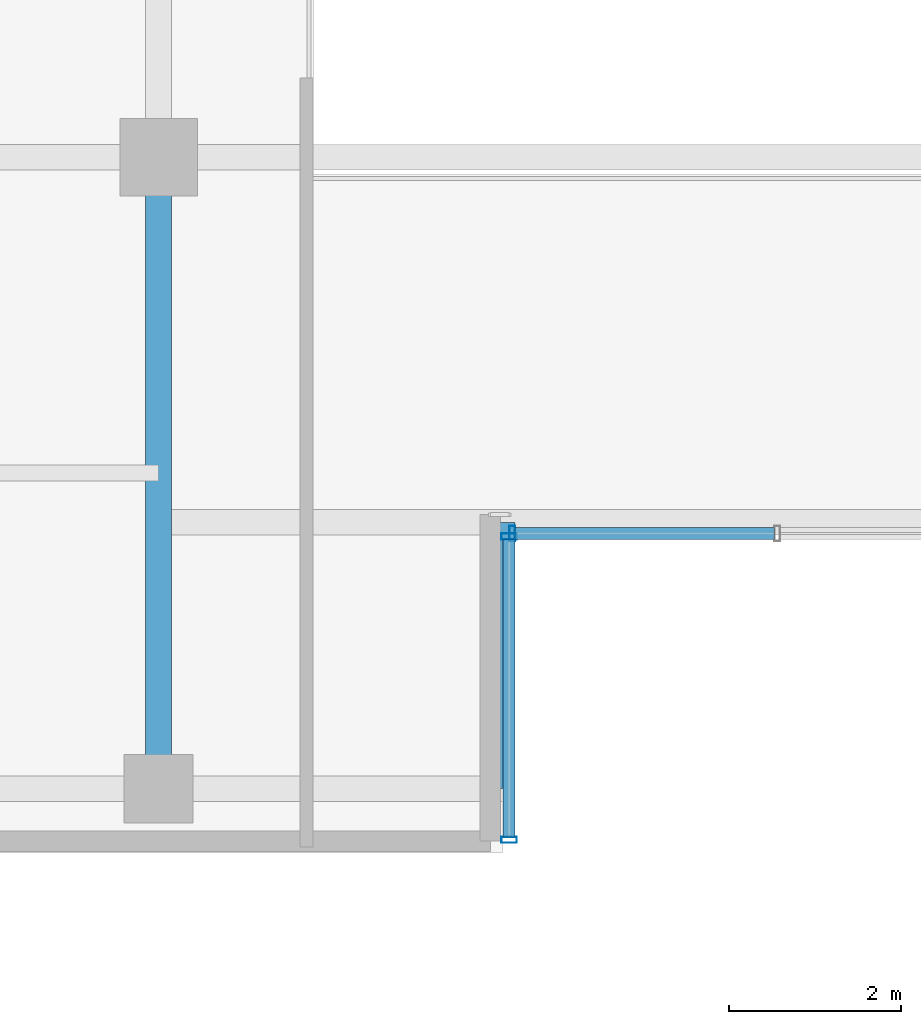
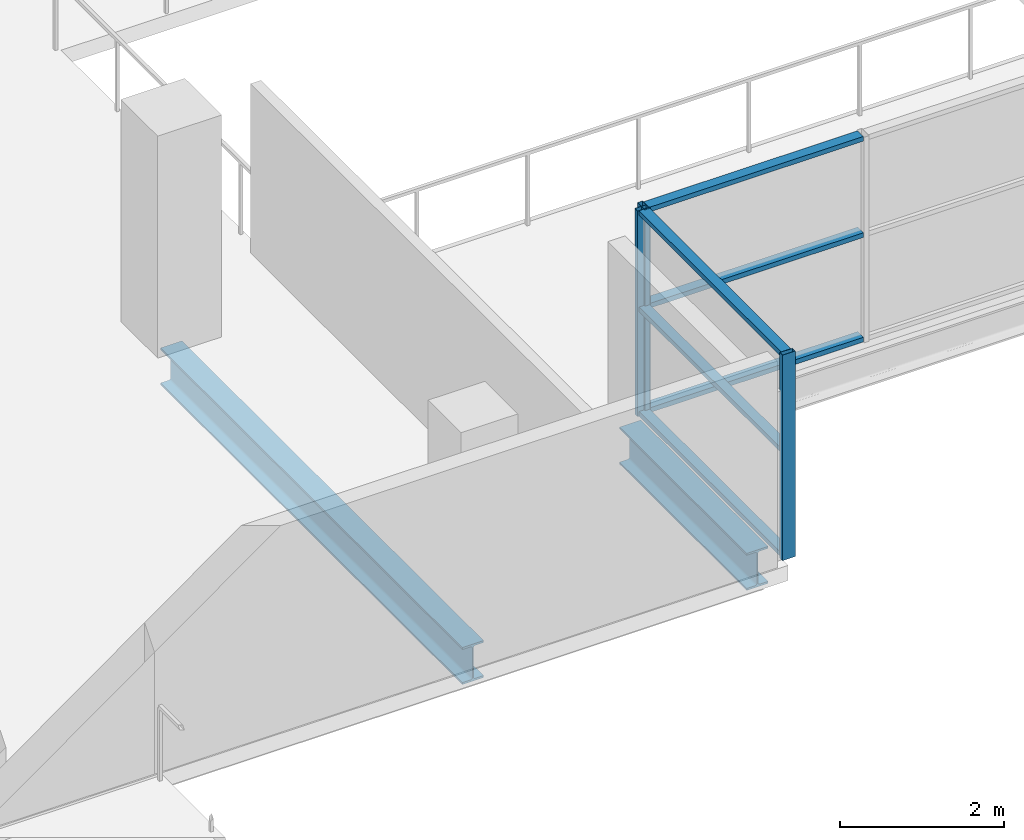
# One storey, part 3 of 27: 9 members, 2 beams, 2 elements without a shape of their own.
"""IFC4 building model written with IfcOpenShell, lengths in metres."""

from ifc_helpers import new_model, si_unit, direction, frame, origin, origin_2d, place, context, subcontext, project, spatial, hollow_rectangle, i_section, extrude, source, transform, mapped, material, layer, layer_set, material_profile, profile_set, type_object, element, aggregate, save


model = new_model("IFC4")

# Units and contexts
model_context = context("Model", 3, precision=1e-05, world=origin(), true_north=direction((0.0, 1.0)))
body_context = subcontext(model_context, "Body", "Model", "MODEL_VIEW")
ifc_project = project(units=[si_unit("LENGTHUNIT", "METRE"), si_unit("AREAUNIT", "SQUARE_METRE"), si_unit("VOLUMEUNIT", "CUBIC_METRE"), si_unit("PLANEANGLEUNIT", "RADIAN"), si_unit("MASSUNIT", "GRAM", prefix="KILO")], contexts=[model_context])

# Site, building, storey
site_placement = place(None, origin())
site = spatial("IfcSite", under=ifc_project, at=site_placement, CompositionType="ELEMENT")
building_placement = place(site_placement, origin())
building = spatial("IfcBuilding", under=site, at=building_placement, Name="Zarnakvel Exchange Tower", CompositionType="ELEMENT")
storey_placement = place(building_placement, frame((0.0, 0.0, 96.699951171875)))
storey = spatial("IfcBuildingStorey", under=building, at=storey_placement, Name="L26", CompositionType="ELEMENT", Elevation=96.699951171875)

# Beams
ifc_material_1 = material(Name="Steel S355", Category="steel")
ifc_material_profile_1 = material_profile(ifc_material_1, i_section(OverallWidth=0.300048828125, OverallDepth=0.550048828125, WebThickness=0.014892578125, FlangeThickness=0.029052734375, FilletRadius=0.027099609375, at=origin_2d()))
ifc_profile_set_1 = profile_set([ifc_material_profile_1], Name="Steel S355")
beam_type = type_object("IfcBeamType", Name="G-05", PredefinedType="BEAM", material=ifc_profile_set_1)
beam_1_placement = place(storey_placement, frame((-3.199951171875, -16.949951171875, -0.5), z_axis=(0.0, 1.0, 0.0), x_axis=(-1.0, 0.0, 0.0)))
element("IfcBeam", 1, at=beam_1_placement, inside=storey, type_object=beam_type, Name="L26 South Slot West Cheek Beam", PredefinedType="BEAM", context=body_context, shape_type="SweptSolid", body=[
    extrude(i_section(OverallWidth=0.300048828125, OverallDepth=0.550048828125, WebThickness=0.014892578125, FlangeThickness=0.029052734375, FilletRadius=0.027099609375, at=origin_2d()), origin(), (0.0, 0.0, 1.0), 3.099853515625),
])
beam_2_placement = place(storey_placement, frame((-7.199951171875, -16.949951171875, -0.5), z_axis=(0.0, 1.0, 0.0), x_axis=(-1.0, 0.0, 0.0)))
element("IfcBeam", 2, at=beam_2_placement, inside=storey, type_object=beam_type, Name="L26 Tower N-S Frame Beam", PredefinedType="BEAM", context=body_context, shape_type="SweptSolid", body=[
    extrude(i_section(OverallWidth=0.300048828125, OverallDepth=0.550048828125, WebThickness=0.014892578125, FlangeThickness=0.029052734375, FilletRadius=0.027099609375, at=origin_2d()), origin(), (0.0, 0.0, 1.0), 7.349853515625),
])

# Curtain wall, members
ifc_material_2 = material(Name="Architectural Bronze Anodised Aluminium", Category="aluminium")
ifc_layer = layer(ifc_material_2, 0.179931640625)
ifc_layer_set = layer_set([ifc_layer], Name="Architectural Bronze Anodised Aluminium")
curtain_wall_type = type_object("IfcCurtainWallType", Name="CW-05", PredefinedType="NOTDEFINED", material=ifc_layer_set)
curtain_wall_1_placement = place(storey_placement, origin())
curtain_wall_1 = element("IfcCurtainWall", 3, at=curtain_wall_1_placement, inside=storey, type_object=curtain_wall_type, Name="L26 Curtain Wall CW-L26-SLW (CW-05)", PredefinedType="NOTDEFINED")
ifc_material_profile_2 = material_profile(ifc_material_2, hollow_rectangle(XDim=0.139892578125, YDim=0.070068359375, WallThickness=0.00390625, at=origin_2d()))
ifc_profile_set_2 = profile_set([ifc_material_profile_2], Name="Architectural Bronze Anodised Aluminium")
member_type_1 = type_object("IfcMemberType", Name="CWT-05", PredefinedType="USERDEFINED", material=ifc_profile_set_2)
shared_shape_1 = source(origin(), body_context, "Body", "SweptSolid", [
    extrude(hollow_rectangle(XDim=0.139892578125, YDim=0.070068359375, WallThickness=0.00390625, at=origin_2d()), origin(), (0.0, 0.0, 1.0), 3.4599609375),
])
member_1_placement = place(storey_placement, frame((-3.1201171875, -17.510009765625, 0.03515625), z_axis=(0.0, 1.0, 0.0), x_axis=(-1.0, 0.0, 0.0)))
member_1 = element("IfcMember", 4, at=member_1_placement, type_object=member_type_1, Name="CW-05 transom 1.1", ObjectType="TRANSOM", PredefinedType="USERDEFINED", context=body_context, shape_type="MappedRepresentation", body=[
    mapped(shared_shape_1, transform((0.0, 0.0, 0.0), x_axis=(1.0, 0.0, 0.0), y_axis=(0.0, 1.0, 0.0), z_axis=(0.0, 0.0, 1.0), scale=1.0)),
])
member_2_placement = place(storey_placement, frame((-3.1201171875, -17.510009765625, 1.588623046875), z_axis=(0.0, 1.0, 0.0), x_axis=(-1.0, 0.0, 0.0)))
member_2 = element("IfcMember", 5, at=member_2_placement, type_object=member_type_1, Name="CW-05 transom 1.2", ObjectType="TRANSOM", PredefinedType="USERDEFINED", context=body_context, shape_type="MappedRepresentation", body=[
    mapped(shared_shape_1, transform((0.0, 0.0, 0.0), x_axis=(1.0, 0.0, 0.0), y_axis=(0.0, 1.0, 0.0), z_axis=(0.0, 0.0, 1.0), scale=1.0)),
])
member_3_placement = place(storey_placement, frame((-3.1201171875, -17.510009765625, 3.02001953125), z_axis=(0.0, 1.0, 0.0), x_axis=(-1.0, 0.0, 0.0)))
member_3 = element("IfcMember", 6, at=member_3_placement, type_object=member_type_1, Name="CW-05 transom 1.3", ObjectType="TRANSOM", PredefinedType="USERDEFINED", context=body_context, shape_type="MappedRepresentation", body=[
    mapped(shared_shape_1, transform((0.0, 0.0, 0.0), x_axis=(1.0, 0.0, 0.0), y_axis=(0.0, 1.0, 0.0), z_axis=(0.0, 0.0, 1.0), scale=1.0)),
])

curtain_wall_2_placement = place(storey_placement, origin())
curtain_wall_2 = element("IfcCurtainWall", 7, at=curtain_wall_2_placement, inside=storey, type_object=curtain_wall_type, Name="L26 Curtain Wall CW-L26-SLB (CW-05)", PredefinedType="NOTDEFINED")
shared_shape_2 = source(origin(), body_context, "Body", "SweptSolid", [
    extrude(hollow_rectangle(XDim=0.139892578125, YDim=0.070068359375, WallThickness=0.00390625, at=origin_2d()), origin(), (0.0, 0.0, 1.0), 3.01513671875),
])
member_4_placement = place(storey_placement, frame((-3.050048828125, -13.97998046875, 0.03515625), z_axis=(1.0, 0.0, 0.0), x_axis=(0.0, 1.0, 0.0)))
member_4 = element("IfcMember", 8, at=member_4_placement, type_object=member_type_1, Name="CW-05 transom 1.1", ObjectType="TRANSOM", PredefinedType="USERDEFINED", context=body_context, shape_type="MappedRepresentation", body=[
    mapped(shared_shape_2, transform((0.0, 0.0, 0.0), x_axis=(1.0, 0.0, 0.0), y_axis=(0.0, 1.0, 0.0), z_axis=(0.0, 0.0, 1.0), scale=1.0)),
])
member_5_placement = place(storey_placement, frame((-3.050048828125, -13.97998046875, 1.588623046875), z_axis=(1.0, 0.0, 0.0), x_axis=(0.0, 1.0, 0.0)))
member_5 = element("IfcMember", 9, at=member_5_placement, type_object=member_type_1, Name="CW-05 transom 1.2", ObjectType="TRANSOM", PredefinedType="USERDEFINED", context=body_context, shape_type="MappedRepresentation", body=[
    mapped(shared_shape_2, transform((0.0, 0.0, 0.0), x_axis=(1.0, 0.0, 0.0), y_axis=(0.0, 1.0, 0.0), z_axis=(0.0, 0.0, 1.0), scale=1.0)),
])
member_6_placement = place(storey_placement, frame((-3.050048828125, -13.97998046875, 3.02001953125), z_axis=(1.0, 0.0, 0.0), x_axis=(0.0, 1.0, 0.0)))
member_6 = element("IfcMember", 10, at=member_6_placement, type_object=member_type_1, Name="CW-05 transom 1.3", ObjectType="TRANSOM", PredefinedType="USERDEFINED", context=body_context, shape_type="MappedRepresentation", body=[
    mapped(shared_shape_2, transform((0.0, 0.0, 0.0), x_axis=(1.0, 0.0, 0.0), y_axis=(0.0, 1.0, 0.0), z_axis=(0.0, 0.0, 1.0), scale=1.0)),
])

# Member
ifc_material_profile_3 = material_profile(ifc_material_2, hollow_rectangle(XDim=0.179931640625, YDim=0.070068359375, WallThickness=0.00390625, at=origin_2d()))
ifc_profile_set_3 = profile_set([ifc_material_profile_3], Name="Architectural Bronze Anodised Aluminium")
member_type_2 = type_object("IfcMemberType", Name="CWM-05", PredefinedType="MULLION", material=ifc_profile_set_3)
shared_shape_3 = source(origin(), body_context, "Body", "SweptSolid", [
    extrude(hollow_rectangle(XDim=0.179931640625, YDim=0.070068359375, WallThickness=0.00390625, at=origin_2d()), origin(), (0.0, 0.0, 1.0), 3.054931640625),
])
member_7_placement = place(storey_placement, frame((-3.1201171875, -17.544921875, 0.0), z_axis=(0.0, 0.0, 1.0), x_axis=(-1.0, 0.0, 0.0)))
member_7 = element("IfcMember", 11, at=member_7_placement, type_object=member_type_2, Name="CW-05 mullion 1", PredefinedType="MULLION", context=body_context, shape_type="MappedRepresentation", body=[
    mapped(shared_shape_3, transform((0.0, 0.0, 0.0), x_axis=(1.0, 0.0, 0.0), y_axis=(0.0, 1.0, 0.0), z_axis=(0.0, 0.0, 1.0), scale=1.0)),
])

member_8_placement = place(storey_placement, frame((-3.1201171875, -14.014892578125, 0.0), z_axis=(0.0, 0.0, 1.0), x_axis=(-1.0, 0.0, 0.0)))
member_8 = element("IfcMember", 12, at=member_8_placement, type_object=member_type_2, Name="CW-05 mullion 2", PredefinedType="MULLION", context=body_context, shape_type="MappedRepresentation", body=[
    mapped(shared_shape_3, transform((0.0, 0.0, 0.0), x_axis=(1.0, 0.0, 0.0), y_axis=(0.0, 1.0, 0.0), z_axis=(0.0, 0.0, 1.0), scale=1.0)),
])

aggregate(curtain_wall_1, [member_7, member_8, member_1, member_2, member_3])

member_9_placement = place(storey_placement, frame((-3.0849609375, -13.97998046875, 0.0), z_axis=(0.0, 0.0, 1.0), x_axis=(0.0, 1.0, 0.0)))
member_9 = element("IfcMember", 13, at=member_9_placement, type_object=member_type_2, Name="CW-05 mullion 1", PredefinedType="MULLION", context=body_context, shape_type="MappedRepresentation", body=[
    mapped(shared_shape_3, transform((0.0, 0.0, 0.0), x_axis=(1.0, 0.0, 0.0), y_axis=(0.0, 1.0, 0.0), z_axis=(0.0, 0.0, 1.0), scale=1.0)),
])

aggregate(curtain_wall_2, [member_9, member_4, member_5, member_6])

save(model, "model.ifc")
